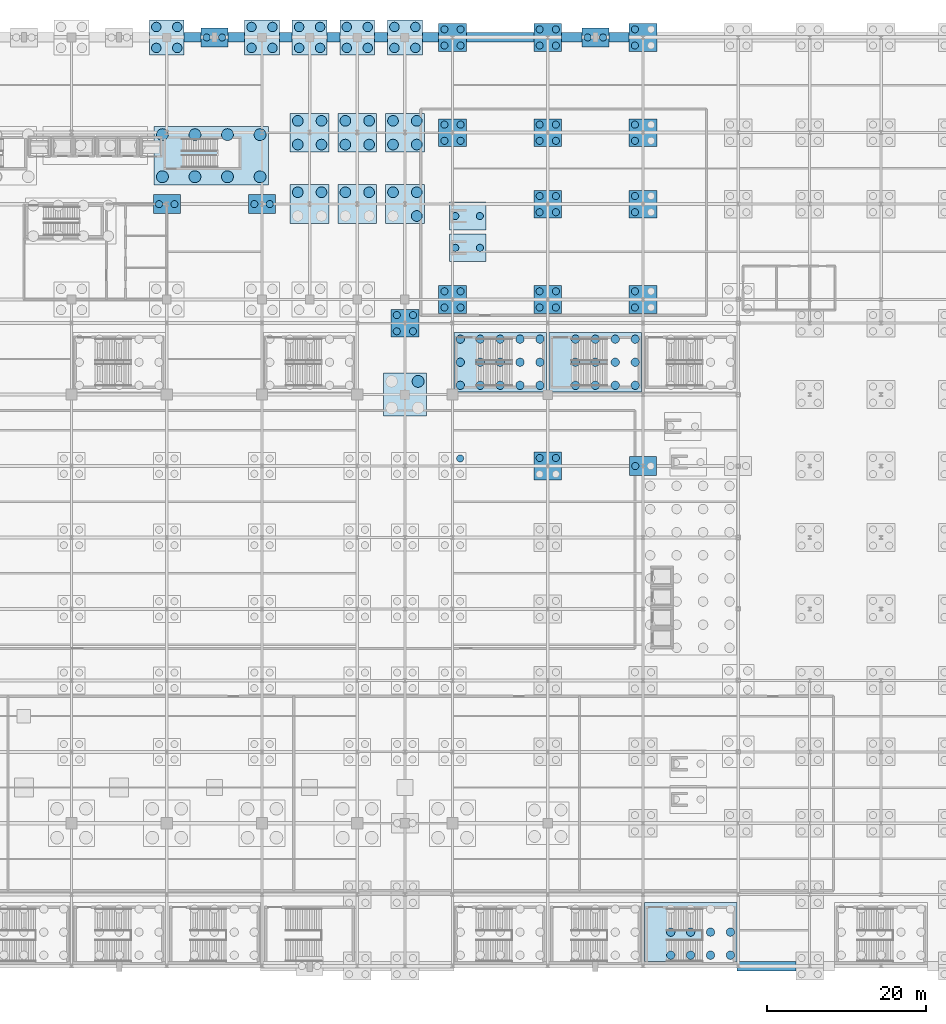
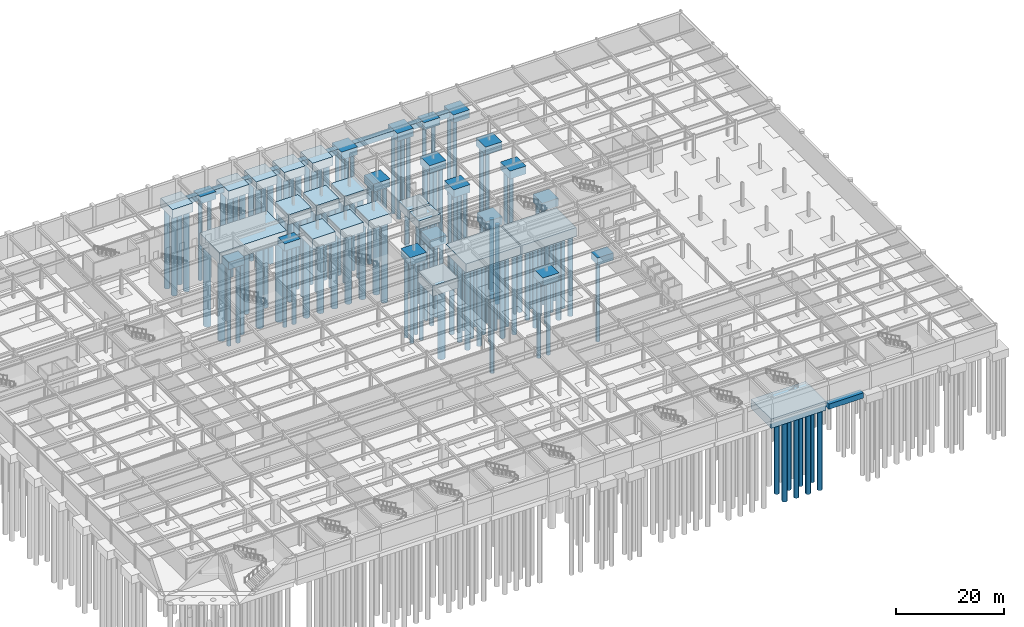
# One storey, part 5 of 47: 139 piles, 46 footings.
"""IFC4 building model written with IfcOpenShell, lengths in metres."""

import ifcopenshell
import ifcopenshell.guid

model = None  # the IFC model being written
_history = None  # IfcOwnerHistory: only IFC2X3 demands one
_inside = {}  # id of a spatial element -> (the spatial element, [elements in it])
_under = {}  # id of a project, library or spatial element -> (it, [spatial elements below it])
_declared = {}  # id of a project -> (the project, [libraries it declares])
_typed = {}  # id of a type object -> (the type object, [elements of that type])
_made_of = {}  # id of a material, layer set ... -> (it, [elements and type objects made of it])


def new_model(schema):
    """Start an empty IFC model of exactly this schema.

    Asked for "IFC4X3", IfcOpenShell would pick the latest addendum, in which some entities
    have other attributes; the version numbers below select the first issue.
    IFC2X3 requires an IfcOwnerHistory on every rooted entity: one is made here for all.
    """
    global model, _history
    if schema == "IFC4X3":
        model = ifcopenshell.file(schema_version=(4, 3, 0, 0))
    else:
        model = ifcopenshell.file(schema=schema)
    _inside.clear()
    _under.clear()
    _declared.clear()
    _typed.clear()
    _made_of.clear()
    _history = None
    if model.schema == "IFC2X3":
        org = make("IfcOrganization", Name="unknown")
        user = make(
            "IfcPersonAndOrganization",
            ThePerson=make("IfcPerson", FamilyName="unknown"),
            TheOrganization=org,
        )
        app = make(
            "IfcApplication",
            ApplicationDeveloper=org,
            Version="unknown",
            ApplicationFullName="unknown",
            ApplicationIdentifier="unknown",
        )
        _history = make(
            "IfcOwnerHistory",
            OwningUser=user,
            OwningApplication=app,
            ChangeAction="ADDED",
            CreationDate=0,
        )
    return model


def make(cls, **values):
    """One entity of the class cls with the attributes given. An attribute that is None is left unset."""
    return model.create_entity(
        cls, **{name: value for name, value in values.items() if value is not None}
    )


def rooted(cls, **values):
    """An entity with a GlobalId (a new one), such as an element, a storey or a relation."""
    return make(cls, GlobalId=ifcopenshell.guid.new(), OwnerHistory=_history, **values)


def si_unit(unit_type, name, prefix=None):
    """IfcSIUnit, for example si_unit("LENGTHUNIT", "METRE", prefix="MILLI")."""
    return make("IfcSIUnit", UnitType=unit_type, Prefix=prefix, Name=name)


def assignment(units):
    """IfcUnitAssignment: the units of a project."""
    return None if units is None else make("IfcUnitAssignment", Units=units)


def point(xyz):
    """IfcCartesianPoint."""
    return None if xyz is None else make("IfcCartesianPoint", Coordinates=xyz)


def direction(xyz):
    """IfcDirection."""
    return None if xyz is None else make("IfcDirection", DirectionRatios=xyz)


def frame(location, z_axis=None, x_axis=None):
    """IfcAxis2Placement3D, a coordinate frame: its origin and axes. An axis left out is left unset."""
    return make(
        "IfcAxis2Placement3D",
        Location=point(location),
        Axis=direction(z_axis),
        RefDirection=direction(x_axis),
    )


def frame_2d(location, x_axis=None):
    """IfcAxis2Placement2D, a coordinate frame in the plane: its origin and x axis."""
    return make(
        "IfcAxis2Placement2D", Location=point(location), RefDirection=direction(x_axis)
    )


def origin():
    """The frame at (0, 0, 0) with its axes left unset."""
    return frame((0.0, 0.0, 0.0))


def origin_2d():
    """The frame at (0, 0) in the plane with its x axis left unset."""
    return frame_2d((0.0, 0.0))


def place(relative_to, where):
    """IfcLocalPlacement: puts the frame where relative to a parent placement (None: the world)."""
    return make(
        "IfcLocalPlacement", PlacementRelTo=relative_to, RelativePlacement=where
    )


def context(
    kind, dimensions, precision=None, world=None, true_north=None, identifier=None
):
    """IfcGeometricRepresentationContext, for example the 3D "Model" context."""
    return make(
        "IfcGeometricRepresentationContext",
        ContextIdentifier=identifier,
        ContextType=kind,
        CoordinateSpaceDimension=dimensions,
        Precision=precision,
        WorldCoordinateSystem=world,
        TrueNorth=true_north,
    )


def subcontext(parent, identifier, kind, view, scale=None):
    """IfcGeometricRepresentationSubContext, for example "Body" below "Model"."""
    return make(
        "IfcGeometricRepresentationSubContext",
        ContextIdentifier=identifier,
        ContextType=kind,
        ParentContext=parent,
        TargetScale=scale,
        TargetView=view,
    )


def project(units=None, contexts=None):
    """IfcProject with its units and contexts."""
    return rooted(
        "IfcProject",
        Name="project",
        RepresentationContexts=contexts,
        UnitsInContext=assignment(units),
    )


def spatial(cls, under=None, at=None, **own):
    """A site, building, storey or space (cls), placed at a placement, below another one or the project."""
    s = rooted(cls, ObjectPlacement=at, **own)
    if under is not None:
        _under.setdefault(under.id(), (under, []))[1].append(s)
    return s


def profile(cls, at=None, kind="AREA", **sizes):
    """A parametric profile (cls). Its sizes go by their IFC names, for example OverallWidth=200.0."""
    return make(cls, ProfileType=kind, Position=at, **sizes)


def rectangle(**sizes):
    """IfcRectangleProfileDef."""
    return profile("IfcRectangleProfileDef", **sizes)


def circle(**sizes):
    """IfcCircleProfileDef."""
    return profile("IfcCircleProfileDef", **sizes)


def extrude(swept, where, along, depth):
    """IfcExtrudedAreaSolid: the profile swept, set in the frame where, extruded along a direction by depth."""
    return make(
        "IfcExtrudedAreaSolid",
        SweptArea=swept,
        Position=where,
        ExtrudedDirection=direction(along),
        Depth=depth,
    )


def shape(context_of_items, identifier, shape_type, items):
    """IfcShapeRepresentation: the items that make up one representation, for example the "Body"."""
    return make(
        "IfcShapeRepresentation",
        ContextOfItems=context_of_items,
        RepresentationIdentifier=identifier,
        RepresentationType=shape_type,
        Items=items,
    )


def material(Name=None, Category=None):
    """IfcMaterial."""
    return make("IfcMaterial", Name=Name, Category=Category)


def material_profile(
    of_material, cross_section, Name=None, Category=None, Priority=None
):
    """IfcMaterialProfile: a cross section and its material."""
    return make(
        "IfcMaterialProfile",
        Name=Name,
        Material=of_material,
        Profile=cross_section,
        Priority=Priority,
        Category=Category,
    )


def profile_set(profiles, Name=None, composite=None):
    """IfcMaterialProfileSet."""
    return make(
        "IfcMaterialProfileSet",
        Name=Name,
        MaterialProfiles=profiles,
        CompositeProfile=composite,
    )


def made_of(thing, what):
    """Note that an element or type object is made of a material, layer set ...; save() writes the relation."""
    if what is not None:
        _made_of.setdefault(what.id(), (what, []))[1].append(thing)
    return thing


def type_object(cls, material=None, **own):
    """A type object (cls), such as IfcWallType, which elements share."""
    return made_of(rooted(cls, **own), material)


def element(
    cls,
    number,
    at=None,
    inside=None,
    cuts=None,
    type_object=None,
    material=None,
    context=None,
    identifier="Body",
    shape_type=None,
    held_by="IfcProductDefinitionShape",
    body=None,
    shapes=None,
    **own,
):
    """One element of the class cls, such as IfcWall. Its Tag is "e" and its number.

    at: its placement. inside: the storey or other place that contains it. cuts: it is an
    opening in that element (IfcRelVoidsElement). A single representation is given by context,
    identifier, shape_type and body (its items); several are given by shapes. held_by: the class
    of the entity that holds the representations. save() writes the other relations.
    """
    e = rooted(cls, Tag="e%d" % number, ObjectPlacement=at, **own)
    if body is not None:
        shapes = [shape(context, identifier, shape_type, body)]
    if shapes is not None:
        e.Representation = make(held_by, Representations=shapes)
    if inside is not None:
        _inside.setdefault(inside.id(), (inside, []))[1].append(e)
    if cuts is not None:
        rooted(
            "IfcRelVoidsElement", RelatingBuildingElement=cuts, RelatedOpeningElement=e
        )
    if type_object is not None:
        _typed.setdefault(type_object.id(), (type_object, []))[1].append(e)
    return made_of(e, material)


def aggregate(whole, parts):
    """IfcRelAggregates: a whole, such as a stair, and the parts it consists of."""
    return rooted("IfcRelAggregates", RelatingObject=whole, RelatedObjects=parts)


def save(model, path):
    """Write the relations noted so far, then the file.

    IfcRelAggregates (storeys below a building ...), IfcRelContainedInSpatialStructure (elements
    in a storey), IfcRelDefinesByType, IfcRelAssociatesMaterial and IfcRelDeclares: one each for
    every whole, place, type object, material and project.
    """
    for whole, parts in _under.values():
        aggregate(whole, parts)
    for where, things in _inside.values():
        rooted(
            "IfcRelContainedInSpatialStructure",
            RelatedElements=things,
            RelatingStructure=where,
        )
    for kind, things in _typed.values():
        rooted("IfcRelDefinesByType", RelatedObjects=things, RelatingType=kind)
    for what, things in _made_of.values():
        rooted("IfcRelAssociatesMaterial", RelatedObjects=things, RelatingMaterial=what)
    for by, libraries in _declared.values():
        rooted("IfcRelDeclares", RelatingContext=by, RelatedDefinitions=libraries)
    model.write(path)


model = new_model("IFC4")

# Units and contexts
model_context = context("Model", 3, precision=1e-05, world=origin(), true_north=direction((0.0, 1.0)))
body_context = subcontext(model_context, "Body", "Model", "MODEL_VIEW")
ifc_project = project(units=[si_unit("LENGTHUNIT", "METRE"), si_unit("AREAUNIT", "SQUARE_METRE"), si_unit("VOLUMEUNIT", "CUBIC_METRE"), si_unit("PLANEANGLEUNIT", "RADIAN"), si_unit("MASSUNIT", "GRAM", prefix="KILO")], contexts=[model_context])

# Site, building, storey
site_placement = place(None, origin())
site = spatial("IfcSite", under=ifc_project, at=site_placement, CompositionType="ELEMENT")
building_placement = place(site_placement, origin())
building = spatial("IfcBuilding", under=site, at=building_placement, Name="Kaldorvane Square Convention Centre", CompositionType="ELEMENT")
storey_placement = place(building_placement, frame((0.0, 0.0, -5.399993896484375)))
storey = spatial("IfcBuildingStorey", under=building, at=storey_placement, Name="B01", CompositionType="ELEMENT", Elevation=-5.399993896484375)

# Footings
ifc_material = material(Name="Concrete f'c = 42 MPa (Normalweight)", Category="concrete")
footing_type_1 = type_object("IfcFootingType", Name="FT-FB-1200X1200", PredefinedType="FOOTING_BEAM", material=ifc_material)
footing_1_placement = place(storey_placement, frame((141.5449981689453, 0.0, -1.20001220703125), z_axis=(0.0, 0.0, 1.0), x_axis=(1.0, 0.0, 0.0)))
element("IfcFooting", 1, at=footing_1_placement, inside=storey, type_object=footing_type_1, Name="Seismic Footing Beam 006", PredefinedType="FOOTING_BEAM", context=body_context, shape_type="SweptSolid", body=[
    extrude(rectangle(XDim=7.410003662109375, YDim=1.1999969482421875, at=origin_2d()), origin(), (0.0, 0.0, 1.0), 1.1999969482421875),
])
for number, where, z_axis, x_axis, name in (
    (2, (69.25, 117.0, -1.20001220703125), (0.0, 0.0, 1.0), (1.0, 0.0, 0.0), "Seismic Footing Beam 020"),
    (3, (74.75, 117.0, -1.20001220703125), (0.0, 0.0, 1.0), (1.0, 0.0, 0.0), "Seismic Footing Beam 021"),
):
    element("IfcFooting", number, at=place(storey_placement, frame(where, z_axis=z_axis, x_axis=x_axis)), inside=storey, type_object=footing_type_1, Name=name, PredefinedType="FOOTING_BEAM", context=body_context, shape_type="SweptSolid", body=[
        extrude(rectangle(XDim=2.100006103515625, YDim=1.1999969482421875, at=origin_2d()), origin(), (0.0, 0.0, 1.0), 1.1999969482421875),
    ])
for number, where, z_axis, x_axis, name in (
    (4, (81.0, 117.0, -1.20001220703125), (0.0, 0.0, 1.0), (1.0, 0.0, 0.0), "Seismic Footing Beam 022"),
    (5, (87.0, 117.0, -1.20001220703125), (0.0, 0.0, 1.0), (1.0, 0.0, 0.0), "Seismic Footing Beam 023"),
    (6, (93.0, 117.0, -1.20001220703125), (0.0, 0.0, 1.0), (1.0, 0.0, 0.0), "Seismic Footing Beam 024"),
):
    element("IfcFooting", number, at=place(storey_placement, frame(where, z_axis=z_axis, x_axis=x_axis)), inside=storey, type_object=footing_type_1, Name=name, PredefinedType="FOOTING_BEAM", context=body_context, shape_type="SweptSolid", body=[
        extrude(rectangle(XDim=1.600006103515625, YDim=1.1999969482421875, at=origin_2d()), origin(), (0.0, 0.0, 1.0), 1.1999969482421875),
    ])
footing_2_placement = place(storey_placement, frame((99.22500610351562, 117.0, -1.20001220703125), z_axis=(0.0, 0.0, 1.0), x_axis=(1.0, 0.0, 0.0)))
element("IfcFooting", 7, at=footing_2_placement, inside=storey, type_object=footing_type_1, Name="Seismic Footing Beam 025", PredefinedType="FOOTING_BEAM", context=body_context, shape_type="SweptSolid", body=[
    extrude(rectangle(XDim=2.0500030517578125, YDim=1.1999969482421875, at=origin_2d()), origin(), (0.0, 0.0, 1.0), 1.1999969482421875),
])
footing_3_placement = place(storey_placement, frame((108.0, 117.0, -1.20001220703125), z_axis=(0.0, 0.0, 1.0), x_axis=(1.0, 0.0, 0.0)))
element("IfcFooting", 8, at=footing_3_placement, inside=storey, type_object=footing_type_1, Name="Seismic Footing Beam 026", PredefinedType="FOOTING_BEAM", context=body_context, shape_type="SweptSolid", body=[
    extrude(rectangle(XDim=8.5, YDim=1.1999969482421875, at=origin_2d()), origin(), (0.0, 0.0, 1.0), 1.1999969482421875),
])
for number, where, z_axis, x_axis, name in (
    (9, (117.02499389648438, 117.0, -1.20001220703125), (0.0, 0.0, 1.0), (1.0, 0.0, 0.0), "Seismic Footing Beam 027"),
    (10, (122.97500610351562, 117.0, -1.20001220703125), (0.0, 0.0, 1.0), (1.0, 0.0, 0.0), "Seismic Footing Beam 028"),
):
    element("IfcFooting", number, at=place(storey_placement, frame(where, z_axis=z_axis, x_axis=x_axis)), inside=storey, type_object=footing_type_1, Name=name, PredefinedType="FOOTING_BEAM", context=body_context, shape_type="SweptSolid", body=[
        extrude(rectangle(XDim=2.5500030517578125, YDim=1.1999969482421875, at=origin_2d()), origin(), (0.0, 0.0, 1.0), 1.1999969482421875),
    ])
footing_type_2 = type_object("IfcFootingType", Name="FT-PC-3400X2400", PredefinedType="PILE_CAP", material=ifc_material)
for number, where, z_axis, x_axis, name in (
    (11, (66.0, 96.0, -1.6500091552734375), (0.0, 0.0, 1.0), (1.0, 0.0, 0.0), "Pile Cap FC-38-099"),
    (12, (78.0, 96.0, -1.6500091552734375), (0.0, 0.0, 1.0), (1.0, 0.0, 0.0), "Pile Cap FC-38-113"),
    (13, (126.0, 63.0, -1.6500091552734375), (0.0, 0.0, 1.0), (1.0, 0.0, 0.0), "Pile Cap FC-38-183"),
    (14, (72.0, 117.0, -1.6500091552734375), (0.0, 0.0, 1.0), (1.0, 0.0, 0.0), "Pile Cap FC-38-266"),
    (15, (120.0, 117.0, -1.6500091552734375), (0.0, 0.0, 1.0), (1.0, 0.0, 0.0), "Pile Cap FC-38-269"),
):
    element("IfcFooting", number, at=place(storey_placement, frame(where, z_axis=z_axis, x_axis=x_axis)), inside=storey, type_object=footing_type_2, Name=name, PredefinedType="PILE_CAP", context=body_context, shape_type="SweptSolid", body=[
        extrude(rectangle(XDim=3.399993896484375, YDim=2.399993896484375, at=origin_2d()), origin(), (0.0, 0.0, 1.0), 1.649993896484375),
    ])
footing_type_3 = type_object("IfcFootingType", Name="FT-PC-3500X3500", PredefinedType="PILE_CAP", material=ifc_material)
for number, where, z_axis, x_axis, name in (
    (16, (96.0, 81.0, -1.800018310546875), (0.0, 0.0, 1.0), (1.0, 0.0, 0.0), "Pile Cap FC-36-143"),
    (17, (102.0, 84.0, -1.800018310546875), (0.0, 0.0, 1.0), (1.0, 0.0, 0.0), "Pile Cap FC-36-158"),
    (18, (102.0, 105.0, -1.800018310546875), (0.0, 0.0, 1.0), (1.0, 0.0, 0.0), "Pile Cap FC-36-160"),
    (19, (102.0, 117.0, -1.800018310546875), (0.0, 0.0, 1.0), (1.0, 0.0, 0.0), "Pile Cap FC-36-161"),
    (20, (114.0, 63.0, -1.800018310546875), (0.0, 0.0, 1.0), (1.0, 0.0, 0.0), "Pile Cap FC-36-169"),
    (21, (114.0, 84.0, -1.800018310546875), (0.0, 0.0, 1.0), (1.0, 0.0, 0.0), "Pile Cap FC-36-172"),
    (22, (114.0, 96.0, -1.800018310546875), (0.0, 0.0, 1.0), (1.0, 0.0, 0.0), "Pile Cap FC-36-173"),
    (23, (114.0, 105.0, -1.800018310546875), (0.0, 0.0, 1.0), (1.0, 0.0, 0.0), "Pile Cap FC-36-174"),
    (24, (114.0, 117.0, -1.800018310546875), (0.0, 0.0, 1.0), (1.0, 0.0, 0.0), "Pile Cap FC-36-175"),
    (25, (126.0, 84.0, -1.800018310546875), (0.0, 0.0, 1.0), (1.0, 0.0, 0.0), "Pile Cap FC-36-186"),
    (26, (126.0, 96.0, -1.800018310546875), (0.0, 0.0, 1.0), (1.0, 0.0, 0.0), "Pile Cap FC-36-187"),
    (27, (126.0, 105.0, -1.800018310546875), (0.0, 0.0, 1.0), (1.0, 0.0, 0.0), "Pile Cap FC-36-188"),
    (28, (126.0, 117.0, -1.800018310546875), (0.0, 0.0, 1.0), (1.0, 0.0, 0.0), "Pile Cap FC-36-189"),
):
    element("IfcFooting", number, at=place(storey_placement, frame(where, z_axis=z_axis, x_axis=x_axis)), inside=storey, type_object=footing_type_3, Name=name, PredefinedType="PILE_CAP", context=body_context, shape_type="SweptSolid", body=[
        extrude(rectangle(XDim=3.5, YDim=3.5, at=origin_2d()), origin(), (0.0, 0.0, 1.0), 1.8000030517578125),
    ])
footing_type_4 = type_object("IfcFootingType", Name="FT-PC-4400X4400", PredefinedType="PILE_CAP", material=ifc_material)
for number, where, z_axis, x_axis, name in (
    (29, (66.0, 117.0, -2.0), (0.0, 0.0, 1.0), (1.0, 0.0, 0.0), "Pile Cap FC-34-101"),
    (30, (78.0, 117.0, -2.0), (0.0, 0.0, 1.0), (1.0, 0.0, 0.0), "Pile Cap FC-34-115"),
    (31, (84.0, 117.0, -2.0), (0.0, 0.0, 1.0), (1.0, 0.0, 0.0), "Pile Cap FC-34-119"),
    (32, (90.0, 117.0, -2.0), (0.0, 0.0, 1.0), (1.0, 0.0, 0.0), "Pile Cap FC-34-133"),
    (33, (96.0, 117.0, -2.0), (0.0, 0.0, 1.0), (1.0, 0.0, 0.0), "Pile Cap FC-34-147"),
):
    element("IfcFooting", number, at=place(storey_placement, frame(where, z_axis=z_axis, x_axis=x_axis)), inside=storey, type_object=footing_type_4, Name=name, PredefinedType="PILE_CAP", context=body_context, shape_type="SweptSolid", body=[
        extrude(rectangle(XDim=4.399993896484375, YDim=4.399993896484375, at=origin_2d()), origin(), (0.0, 0.0, 1.0), 2.0),
    ])
footing_type_5 = type_object("IfcFootingType", Name="FT-PC-4900X4900", PredefinedType="PILE_CAP", material=ifc_material)
for number, where, z_axis, x_axis, name in (
    (34, (84.0, 96.0, -2.20001220703125), (0.0, 0.0, 1.0), (1.0, 0.0, 0.0), "Pile Cap FC-33-117"),
    (35, (84.0, 105.0, -2.20001220703125), (0.0, 0.0, 1.0), (1.0, 0.0, 0.0), "Pile Cap FC-33-118"),
    (36, (90.0, 96.0, -2.20001220703125), (0.0, 0.0, 1.0), (1.0, 0.0, 0.0), "Pile Cap FC-33-131"),
    (37, (90.0, 105.0, -2.20001220703125), (0.0, 0.0, 1.0), (1.0, 0.0, 0.0), "Pile Cap FC-33-132"),
    (38, (96.0, 96.0, -2.20001220703125), (0.0, 0.0, 1.0), (1.0, 0.0, 0.0), "Pile Cap FC-33-145"),
    (39, (96.0, 105.0, -2.20001220703125), (0.0, 0.0, 1.0), (1.0, 0.0, 0.0), "Pile Cap FC-33-146"),
):
    element("IfcFooting", number, at=place(storey_placement, frame(where, z_axis=z_axis, x_axis=x_axis)), inside=storey, type_object=footing_type_5, Name=name, PredefinedType="PILE_CAP", context=body_context, shape_type="SweptSolid", body=[
        extrude(rectangle(XDim=4.899993896484375, YDim=4.899993896484375, at=origin_2d()), origin(), (0.0, 0.0, 1.0), 2.1999969482421875),
    ])
footing_type_6 = type_object("IfcFootingType", Name="FT-PC-5400X5400", PredefinedType="PILE_CAP", material=ifc_material)
footing_4_placement = place(storey_placement, frame((96.0, 72.0, -2.4000091552734375), z_axis=(0.0, 0.0, 1.0), x_axis=(1.0, 0.0, 0.0)))
element("IfcFooting", 40, at=footing_4_placement, inside=storey, type_object=footing_type_6, Name="Pile Cap FC-32-142", PredefinedType="PILE_CAP", context=body_context, shape_type="SweptSolid", body=[
    extrude(rectangle(XDim=5.399993896484375, YDim=5.399993896484375, at=origin_2d()), origin(), (0.0, 0.0, 1.0), 2.399993896484375),
])
footing_type_7 = type_object("IfcFootingType", Name="FT-PC-CORE-TE", PredefinedType="PILE_CAP", material=ifc_material)
footing_5_placement = place(storey_placement, frame((71.60000610351562, 102.10000610351562, -2.600006103515625), z_axis=(0.0, 0.0, 1.0), x_axis=(1.0, 0.0, 0.0)))
element("IfcFooting", 41, at=footing_5_placement, inside=storey, type_object=footing_type_7, Name="Core Pile Cap FC-03", PredefinedType="PILE_CAP", context=body_context, shape_type="SweptSolid", body=[
    extrude(rectangle(XDim=14.399993896484375, YDim=7.399993896484375, at=origin_2d()), origin(), (0.0, 0.0, 1.0), 2.600006103515625),
])
footing_type_8 = type_object("IfcFootingType", Name="FT-PC-FSTR-ST-F5", PredefinedType="PILE_CAP", material=ifc_material)
footing_6_placement = place(storey_placement, frame((103.89999389648438, 90.5, -1.800018310546875), z_axis=(0.0, 0.0, 1.0), x_axis=(1.0, 0.0, 0.0)))
element("IfcFooting", 42, at=footing_6_placement, inside=storey, type_object=footing_type_8, Name="Core Pile Cap FC-28", PredefinedType="PILE_CAP", context=body_context, shape_type="SweptSolid", body=[
    extrude(rectangle(XDim=4.600006103515625, YDim=3.5, at=origin_2d()), origin(), (0.0, 0.0, 1.0), 1.8000030517578125),
])
footing_type_9 = type_object("IfcFootingType", Name="FT-PC-FSTR-ST-F6", PredefinedType="PILE_CAP", material=ifc_material)
footing_7_placement = place(storey_placement, frame((103.89999389648438, 94.5, -1.800018310546875), z_axis=(0.0, 0.0, 1.0), x_axis=(1.0, 0.0, 0.0)))
element("IfcFooting", 43, at=footing_7_placement, inside=storey, type_object=footing_type_9, Name="Core Pile Cap FC-29", PredefinedType="PILE_CAP", context=body_context, shape_type="SweptSolid", body=[
    extrude(rectangle(XDim=4.600006103515625, YDim=3.5, at=origin_2d()), origin(), (0.0, 0.0, 1.0), 1.8000030517578125),
])
footing_type_10 = type_object("IfcFootingType", Name="FT-PC-STAIR-ST-C10", PredefinedType="PILE_CAP", material=ifc_material)
footing_8_placement = place(storey_placement, frame((132.0, 4.279998779296875, -2.100006103515625), z_axis=(0.0, 0.0, 1.0), x_axis=(1.0, 0.0, 0.0)))
element("IfcFooting", 44, at=footing_8_placement, inside=storey, type_object=footing_type_10, Name="Core Pile Cap FC-15", PredefinedType="PILE_CAP", context=body_context, shape_type="SweptSolid", body=[
    extrude(rectangle(XDim=11.67999267578125, YDim=7.4600067138671875, at=origin_2d()), origin(), (0.0, 0.0, 1.0), 2.100006103515625),
])
footing_type_11 = type_object("IfcFootingType", Name="FT-PC-STAIR-ST-C16", PredefinedType="PILE_CAP", material=ifc_material)
footing_9_placement = place(storey_placement, frame((108.0, 76.08000183105469, -2.0), z_axis=(0.0, 0.0, 1.0), x_axis=(1.0, 0.0, 0.0)))
element("IfcFooting", 45, at=footing_9_placement, inside=storey, type_object=footing_type_11, Name="Core Pile Cap FC-21", PredefinedType="PILE_CAP", context=body_context, shape_type="SweptSolid", body=[
    extrude(rectangle(XDim=11.67999267578125, YDim=7.4600067138671875, at=origin_2d()), origin(), (0.0, 0.0, 1.0), 2.0),
])
footing_type_12 = type_object("IfcFootingType", Name="FT-PC-STAIR-ST-C17", PredefinedType="PILE_CAP", material=ifc_material)
footing_10_placement = place(storey_placement, frame((120.0, 76.08000183105469, -2.050018310546875), z_axis=(0.0, 0.0, 1.0), x_axis=(1.0, 0.0, 0.0)))
element("IfcFooting", 46, at=footing_10_placement, inside=storey, type_object=footing_type_12, Name="Core Pile Cap FC-22", PredefinedType="PILE_CAP", context=body_context, shape_type="SweptSolid", body=[
    extrude(rectangle(XDim=11.67999267578125, YDim=7.4600067138671875, at=origin_2d()), origin(), (0.0, 0.0, 1.0), 2.0500030517578125),
])

# Piles
ifc_material_profile_1 = material_profile(ifc_material, circle(Radius=0.524993896484375, at=origin_2d()), Name="PILE-D1050")
ifc_profile_set_1 = profile_set([ifc_material_profile_1], Name="Concrete f'c = 42 MPa (Normalweight)")
pile_type_1 = type_object("IfcPileType", Name="PL-CIDH-1050", PredefinedType="BORED", material=ifc_profile_set_1)
for number, where, z_axis, x_axis, name in (
    (47, (129.49249267578125, 1.375, -2.100006103515625), (0.0, 0.0, -1.0), (1.0, 0.0, 0.0), "Bored Pile 0172"),
    (48, (129.49249267578125, 4.279998779296875, -2.100006103515625), (0.0, 0.0, -1.0), (1.0, 0.0, 0.0), "Bored Pile 0173"),
    (49, (132.0, 1.375, -2.100006103515625), (0.0, 0.0, -1.0), (1.0, 0.0, 0.0), "Bored Pile 0175"),
    (50, (132.0, 4.279998779296875, -2.100006103515625), (0.0, 0.0, -1.0), (1.0, 0.0, 0.0), "Bored Pile 0176"),
    (51, (134.50750732421875, 1.375, -2.100006103515625), (0.0, 0.0, -1.0), (1.0, 0.0, 0.0), "Bored Pile 0178"),
    (52, (134.50750732421875, 4.279998779296875, -2.100006103515625), (0.0, 0.0, -1.0), (1.0, 0.0, 0.0), "Bored Pile 0179"),
    (53, (137.01499938964844, 1.375, -2.100006103515625), (0.0, 0.0, -1.0), (1.0, 0.0, 0.0), "Bored Pile 0181"),
    (54, (137.01499938964844, 4.279998779296875, -2.100006103515625), (0.0, 0.0, -1.0), (1.0, 0.0, 0.0), "Bored Pile 0182"),
    (55, (102.98500061035156, 73.17500305175781, -2.0), (0.0, 0.0, -1.0), (1.0, 0.0, 0.0), "Bored Pile 0257"),
    (56, (102.98500061035156, 76.08000183105469, -2.0), (0.0, 0.0, -1.0), (1.0, 0.0, 0.0), "Bored Pile 0258"),
    (57, (102.98500061035156, 78.98500061035156, -2.0), (0.0, 0.0, -1.0), (1.0, 0.0, 0.0), "Bored Pile 0259"),
    (58, (105.49249267578125, 73.17500305175781, -2.0), (0.0, 0.0, -1.0), (1.0, 0.0, 0.0), "Bored Pile 0260"),
    (59, (105.49249267578125, 76.08000183105469, -2.0), (0.0, 0.0, -1.0), (1.0, 0.0, 0.0), "Bored Pile 0261"),
    (60, (105.49249267578125, 78.98500061035156, -2.0), (0.0, 0.0, -1.0), (1.0, 0.0, 0.0), "Bored Pile 0262"),
    (61, (108.0, 73.17500305175781, -2.0), (0.0, 0.0, -1.0), (1.0, 0.0, 0.0), "Bored Pile 0263"),
    (62, (108.0, 76.08000183105469, -2.0), (0.0, 0.0, -1.0), (1.0, 0.0, 0.0), "Bored Pile 0264"),
    (63, (108.0, 78.98500061035156, -2.0), (0.0, 0.0, -1.0), (1.0, 0.0, 0.0), "Bored Pile 0265"),
    (64, (110.50750732421875, 73.17500305175781, -2.0), (0.0, 0.0, -1.0), (1.0, 0.0, 0.0), "Bored Pile 0266"),
    (65, (110.50750732421875, 76.08000183105469, -2.0), (0.0, 0.0, -1.0), (1.0, 0.0, 0.0), "Bored Pile 0267"),
    (66, (110.50750732421875, 78.98500061035156, -2.0), (0.0, 0.0, -1.0), (1.0, 0.0, 0.0), "Bored Pile 0268"),
    (67, (113.01499938964844, 73.17500305175781, -2.0), (0.0, 0.0, -1.0), (1.0, 0.0, 0.0), "Bored Pile 0269"),
    (68, (113.01499938964844, 76.08000183105469, -2.0), (0.0, 0.0, -1.0), (1.0, 0.0, 0.0), "Bored Pile 0270"),
    (69, (113.01499938964844, 78.98500061035156, -2.0), (0.0, 0.0, -1.0), (1.0, 0.0, 0.0), "Bored Pile 0271"),
    (70, (117.49249267578125, 73.17500305175781, -2.0500030517578125), (0.0, 0.0, -1.0), (1.0, 0.0, 0.0), "Bored Pile 0272"),
    (71, (117.49249267578125, 76.08000183105469, -2.0500030517578125), (0.0, 0.0, -1.0), (1.0, 0.0, 0.0), "Bored Pile 0273"),
    (72, (117.49249267578125, 78.98500061035156, -2.0500030517578125), (0.0, 0.0, -1.0), (1.0, 0.0, 0.0), "Bored Pile 0274"),
    (73, (120.0, 73.17500305175781, -2.0500030517578125), (0.0, 0.0, -1.0), (1.0, 0.0, 0.0), "Bored Pile 0275"),
    (74, (120.0, 76.08000183105469, -2.0500030517578125), (0.0, 0.0, -1.0), (1.0, 0.0, 0.0), "Bored Pile 0276"),
    (75, (120.0, 78.98500061035156, -2.0500030517578125), (0.0, 0.0, -1.0), (1.0, 0.0, 0.0), "Bored Pile 0277"),
    (76, (122.50750732421875, 73.17500305175781, -2.0500030517578125), (0.0, 0.0, -1.0), (1.0, 0.0, 0.0), "Bored Pile 0278"),
    (77, (122.50750732421875, 76.08000183105469, -2.0500030517578125), (0.0, 0.0, -1.0), (1.0, 0.0, 0.0), "Bored Pile 0279"),
    (78, (122.50750732421875, 78.98500061035156, -2.0500030517578125), (0.0, 0.0, -1.0), (1.0, 0.0, 0.0), "Bored Pile 0280"),
    (79, (125.01499938964844, 73.17500305175781, -2.0500030517578125), (0.0, 0.0, -1.0), (1.0, 0.0, 0.0), "Bored Pile 0281"),
    (80, (125.01499938964844, 76.08000183105469, -2.0500030517578125), (0.0, 0.0, -1.0), (1.0, 0.0, 0.0), "Bored Pile 0282"),
    (81, (125.01499938964844, 78.98500061035156, -2.0500030517578125), (0.0, 0.0, -1.0), (1.0, 0.0, 0.0), "Bored Pile 0283"),
):
    element("IfcPile", number, at=place(storey_placement, frame(where, z_axis=z_axis, x_axis=x_axis)), inside=storey, type_object=pile_type_1, Name=name, PredefinedType="BORED", context=body_context, shape_type="SweptSolid", body=[
        extrude(circle(Radius=0.524993896484375, at=origin_2d()), origin(), (0.0, 0.0, 1.0), 18.0),
    ])
ifc_material_profile_2 = material_profile(ifc_material, circle(Radius=0.600006103515625, at=origin_2d()), Name="PILE-D1200")
ifc_profile_set_2 = profile_set([ifc_material_profile_2], Name="Concrete f'c = 42 MPa (Normalweight)")
pile_type_2 = type_object("IfcPileType", Name="PL-CIDH-1200", PredefinedType="BORED", material=ifc_profile_set_2)
for number, where, z_axis, x_axis, name in (
    (82, (64.67999267578125, 115.67999267578125, -2.0), (0.0, 0.0, -1.0), (1.0, 0.0, 0.0), "Bored Pile 0576"),
    (83, (64.67999267578125, 118.32000732421875, -2.0), (0.0, 0.0, -1.0), (1.0, 0.0, 0.0), "Bored Pile 0577"),
    (84, (67.32000732421875, 115.67999267578125, -2.0), (0.0, 0.0, -1.0), (1.0, 0.0, 0.0), "Bored Pile 0578"),
    (85, (67.32000732421875, 118.32000732421875, -2.0), (0.0, 0.0, -1.0), (1.0, 0.0, 0.0), "Bored Pile 0579"),
    (86, (76.67999267578125, 115.67999267578125, -2.0), (0.0, 0.0, -1.0), (1.0, 0.0, 0.0), "Bored Pile 0610"),
    (87, (76.67999267578125, 118.32000732421875, -2.0), (0.0, 0.0, -1.0), (1.0, 0.0, 0.0), "Bored Pile 0611"),
    (88, (79.32000732421875, 115.67999267578125, -2.0), (0.0, 0.0, -1.0), (1.0, 0.0, 0.0), "Bored Pile 0612"),
    (89, (79.32000732421875, 118.32000732421875, -2.0), (0.0, 0.0, -1.0), (1.0, 0.0, 0.0), "Bored Pile 0613"),
    (90, (82.67999267578125, 115.67999267578125, -2.0), (0.0, 0.0, -1.0), (1.0, 0.0, 0.0), "Bored Pile 0626"),
    (91, (82.67999267578125, 118.32000732421875, -2.0), (0.0, 0.0, -1.0), (1.0, 0.0, 0.0), "Bored Pile 0627"),
    (92, (85.32000732421875, 115.67999267578125, -2.0), (0.0, 0.0, -1.0), (1.0, 0.0, 0.0), "Bored Pile 0628"),
    (93, (85.32000732421875, 118.32000732421875, -2.0), (0.0, 0.0, -1.0), (1.0, 0.0, 0.0), "Bored Pile 0629"),
    (94, (88.67999267578125, 115.67999267578125, -2.0), (0.0, 0.0, -1.0), (1.0, 0.0, 0.0), "Bored Pile 0674"),
    (95, (88.67999267578125, 118.32000732421875, -2.0), (0.0, 0.0, -1.0), (1.0, 0.0, 0.0), "Bored Pile 0675"),
    (96, (91.32000732421875, 115.67999267578125, -2.0), (0.0, 0.0, -1.0), (1.0, 0.0, 0.0), "Bored Pile 0676"),
    (97, (91.32000732421875, 118.32000732421875, -2.0), (0.0, 0.0, -1.0), (1.0, 0.0, 0.0), "Bored Pile 0677"),
    (98, (94.67999267578125, 115.67999267578125, -2.0), (0.0, 0.0, -1.0), (1.0, 0.0, 0.0), "Bored Pile 0724"),
    (99, (94.67999267578125, 118.32000732421875, -2.0), (0.0, 0.0, -1.0), (1.0, 0.0, 0.0), "Bored Pile 0725"),
    (100, (97.32000732421875, 115.67999267578125, -2.0), (0.0, 0.0, -1.0), (1.0, 0.0, 0.0), "Bored Pile 0726"),
    (101, (97.32000732421875, 118.32000732421875, -2.0), (0.0, 0.0, -1.0), (1.0, 0.0, 0.0), "Bored Pile 0727"),
):
    element("IfcPile", number, at=place(storey_placement, frame(where, z_axis=z_axis, x_axis=x_axis)), inside=storey, type_object=pile_type_2, Name=name, PredefinedType="BORED", context=body_context, shape_type="SweptSolid", body=[
        extrude(circle(Radius=0.600006103515625, at=origin_2d()), origin(), (0.0, 0.0, 1.0), 18.0),
    ])
ifc_material_profile_3 = material_profile(ifc_material, circle(Radius=0.6750030517578125, at=origin_2d()), Name="PILE-D1350")
ifc_profile_set_3 = profile_set([ifc_material_profile_3], Name="Concrete f'c = 42 MPa (Normalweight)")
pile_type_3 = type_object("IfcPileType", Name="PL-CIDH-1350", PredefinedType="BORED", material=ifc_profile_set_3)
for number, where, z_axis, x_axis, name in (
    (102, (82.5050048828125, 97.4949951171875, -2.20001220703125), (0.0, 0.0, -1.0), (1.0, 0.0, 0.0), "Bored Pile 0619"),
    (103, (85.4949951171875, 97.4949951171875, -2.20001220703125), (0.0, 0.0, -1.0), (1.0, 0.0, 0.0), "Bored Pile 0621"),
    (104, (82.5050048828125, 103.5050048828125, -2.20001220703125), (0.0, 0.0, -1.0), (1.0, 0.0, 0.0), "Bored Pile 0622"),
    (105, (82.5050048828125, 106.4949951171875, -2.20001220703125), (0.0, 0.0, -1.0), (1.0, 0.0, 0.0), "Bored Pile 0623"),
    (106, (85.4949951171875, 103.5050048828125, -2.20001220703125), (0.0, 0.0, -1.0), (1.0, 0.0, 0.0), "Bored Pile 0624"),
    (107, (85.4949951171875, 106.4949951171875, -2.20001220703125), (0.0, 0.0, -1.0), (1.0, 0.0, 0.0), "Bored Pile 0625"),
    (108, (88.5050048828125, 97.4949951171875, -2.20001220703125), (0.0, 0.0, -1.0), (1.0, 0.0, 0.0), "Bored Pile 0667"),
    (109, (91.4949951171875, 97.4949951171875, -2.20001220703125), (0.0, 0.0, -1.0), (1.0, 0.0, 0.0), "Bored Pile 0669"),
    (110, (88.5050048828125, 103.5050048828125, -2.20001220703125), (0.0, 0.0, -1.0), (1.0, 0.0, 0.0), "Bored Pile 0670"),
    (111, (88.5050048828125, 106.4949951171875, -2.20001220703125), (0.0, 0.0, -1.0), (1.0, 0.0, 0.0), "Bored Pile 0671"),
    (112, (91.4949951171875, 103.5050048828125, -2.20001220703125), (0.0, 0.0, -1.0), (1.0, 0.0, 0.0), "Bored Pile 0672"),
    (113, (91.4949951171875, 106.4949951171875, -2.20001220703125), (0.0, 0.0, -1.0), (1.0, 0.0, 0.0), "Bored Pile 0673"),
    (114, (94.5050048828125, 97.4949951171875, -2.20001220703125), (0.0, 0.0, -1.0), (1.0, 0.0, 0.0), "Bored Pile 0717"),
    (115, (97.4949951171875, 94.5050048828125, -2.20001220703125), (0.0, 0.0, -1.0), (1.0, 0.0, 0.0), "Bored Pile 0718"),
    (116, (97.4949951171875, 97.4949951171875, -2.20001220703125), (0.0, 0.0, -1.0), (1.0, 0.0, 0.0), "Bored Pile 0719"),
    (117, (94.5050048828125, 103.5050048828125, -2.20001220703125), (0.0, 0.0, -1.0), (1.0, 0.0, 0.0), "Bored Pile 0720"),
    (118, (94.5050048828125, 106.4949951171875, -2.20001220703125), (0.0, 0.0, -1.0), (1.0, 0.0, 0.0), "Bored Pile 0721"),
    (119, (97.4949951171875, 103.5050048828125, -2.20001220703125), (0.0, 0.0, -1.0), (1.0, 0.0, 0.0), "Bored Pile 0722"),
    (120, (97.4949951171875, 106.4949951171875, -2.20001220703125), (0.0, 0.0, -1.0), (1.0, 0.0, 0.0), "Bored Pile 0723"),
):
    element("IfcPile", number, at=place(storey_placement, frame(where, z_axis=z_axis, x_axis=x_axis)), inside=storey, type_object=pile_type_3, Name=name, PredefinedType="BORED", context=body_context, shape_type="SweptSolid", body=[
        extrude(circle(Radius=0.6750030517578125, at=origin_2d()), origin(), (0.0, 0.0, 1.0), 18.0),
    ])
ifc_material_profile_4 = material_profile(ifc_material, circle(Radius=0.75, at=origin_2d()), Name="PILE-D1500")
ifc_profile_set_4 = profile_set([ifc_material_profile_4], Name="Concrete f'c = 42 MPa (Normalweight)")
pile_type_4 = type_object("IfcPileType", Name="PL-CIDH-1500", PredefinedType="BORED", material=ifc_profile_set_4)
for number, where, z_axis, x_axis, name in (
    (121, (65.44999694824219, 99.44999694824219, -2.600006103515625), (0.0, 0.0, -1.0), (1.0, 0.0, 0.0), "Bored Pile 0013"),
    (122, (65.44999694824219, 104.75, -2.600006103515625), (0.0, 0.0, -1.0), (1.0, 0.0, 0.0), "Bored Pile 0014"),
    (123, (69.55000305175781, 99.44999694824219, -2.600006103515625), (0.0, 0.0, -1.0), (1.0, 0.0, 0.0), "Bored Pile 0015"),
    (124, (69.55000305175781, 104.75, -2.600006103515625), (0.0, 0.0, -1.0), (1.0, 0.0, 0.0), "Bored Pile 0016"),
    (125, (73.64999389648438, 99.44999694824219, -2.600006103515625), (0.0, 0.0, -1.0), (1.0, 0.0, 0.0), "Bored Pile 0017"),
    (126, (73.64999389648438, 104.75, -2.600006103515625), (0.0, 0.0, -1.0), (1.0, 0.0, 0.0), "Bored Pile 0018"),
    (127, (77.75, 99.44999694824219, -2.600006103515625), (0.0, 0.0, -1.0), (1.0, 0.0, 0.0), "Bored Pile 0019"),
    (128, (77.75, 104.75, -2.600006103515625), (0.0, 0.0, -1.0), (1.0, 0.0, 0.0), "Bored Pile 0020"),
    (129, (97.66999816894531, 73.66999816894531, -2.4000091552734375), (0.0, 0.0, -1.0), (1.0, 0.0, 0.0), "Bored Pile 0711"),
):
    element("IfcPile", number, at=place(storey_placement, frame(where, z_axis=z_axis, x_axis=x_axis)), inside=storey, type_object=pile_type_4, Name=name, PredefinedType="BORED", context=body_context, shape_type="SweptSolid", body=[
        extrude(circle(Radius=0.75, at=origin_2d()), origin(), (0.0, 0.0, 1.0), 18.0),
    ])
ifc_material_profile_5 = material_profile(ifc_material, circle(Radius=0.4499969482421875, at=origin_2d()), Name="PILE-D900")
ifc_profile_set_5 = profile_set([ifc_material_profile_5], Name="Concrete f'c = 42 MPa (Normalweight)")
pile_type_5 = type_object("IfcPileType", Name="PL-CIDH-900", PredefinedType="BORED", material=ifc_profile_set_5)
for number, where, z_axis, x_axis, name in (
    (130, (102.35000610351562, 90.5, -1.8000030517578125), (0.0, 0.0, -1.0), (1.0, 0.0, 0.0), "Bored Pile 0304"),
    (131, (105.44999694824219, 90.5, -1.8000030517578125), (0.0, 0.0, -1.0), (1.0, 0.0, 0.0), "Bored Pile 0305"),
    (132, (102.35000610351562, 94.5, -1.8000030517578125), (0.0, 0.0, -1.0), (1.0, 0.0, 0.0), "Bored Pile 0306"),
    (133, (105.44999694824219, 94.5, -1.8000030517578125), (0.0, 0.0, -1.0), (1.0, 0.0, 0.0), "Bored Pile 0307"),
    (134, (65.02999877929688, 96.0, -1.6500091552734375), (0.0, 0.0, -1.0), (1.0, 0.0, 0.0), "Bored Pile 0574"),
    (135, (66.97000122070312, 96.0, -1.6500091552734375), (0.0, 0.0, -1.0), (1.0, 0.0, 0.0), "Bored Pile 0575"),
    (136, (77.02999877929688, 96.0, -1.6500091552734375), (0.0, 0.0, -1.0), (1.0, 0.0, 0.0), "Bored Pile 0608"),
    (137, (78.97000122070312, 96.0, -1.6500091552734375), (0.0, 0.0, -1.0), (1.0, 0.0, 0.0), "Bored Pile 0609"),
    (138, (94.97999572753906, 79.97999572753906, -1.8000030517578125), (0.0, 0.0, -1.0), (1.0, 0.0, 0.0), "Bored Pile 0712"),
    (139, (94.97999572753906, 82.02000427246094, -1.8000030517578125), (0.0, 0.0, -1.0), (1.0, 0.0, 0.0), "Bored Pile 0713"),
    (140, (97.02000427246094, 79.97999572753906, -1.8000030517578125), (0.0, 0.0, -1.0), (1.0, 0.0, 0.0), "Bored Pile 0714"),
    (141, (97.02000427246094, 82.02000427246094, -1.8000030517578125), (0.0, 0.0, -1.0), (1.0, 0.0, 0.0), "Bored Pile 0715"),
    (142, (102.97000122070312, 63.970001220703125, -1.70001220703125), (0.0, 0.0, -1.0), (1.0, 0.0, 0.0), "Bored Pile 0751"),
    (143, (100.97999572753906, 82.97999572753906, -1.8000030517578125), (0.0, 0.0, -1.0), (1.0, 0.0, 0.0), "Bored Pile 0752"),
    (144, (100.97999572753906, 85.02000427246094, -1.8000030517578125), (0.0, 0.0, -1.0), (1.0, 0.0, 0.0), "Bored Pile 0753"),
    (145, (103.02000427246094, 82.97999572753906, -1.8000030517578125), (0.0, 0.0, -1.0), (1.0, 0.0, 0.0), "Bored Pile 0754"),
    (146, (103.02000427246094, 85.02000427246094, -1.8000030517578125), (0.0, 0.0, -1.0), (1.0, 0.0, 0.0), "Bored Pile 0755"),
    (147, (100.97999572753906, 103.97999572753906, -1.8000030517578125), (0.0, 0.0, -1.0), (1.0, 0.0, 0.0), "Bored Pile 0756"),
    (148, (100.97999572753906, 106.02000427246094, -1.8000030517578125), (0.0, 0.0, -1.0), (1.0, 0.0, 0.0), "Bored Pile 0757"),
    (149, (103.02000427246094, 103.97999572753906, -1.8000030517578125), (0.0, 0.0, -1.0), (1.0, 0.0, 0.0), "Bored Pile 0758"),
    (150, (103.02000427246094, 106.02000427246094, -1.8000030517578125), (0.0, 0.0, -1.0), (1.0, 0.0, 0.0), "Bored Pile 0759"),
    (151, (100.97999572753906, 115.97999572753906, -1.8000030517578125), (0.0, 0.0, -1.0), (1.0, 0.0, 0.0), "Bored Pile 0760"),
    (152, (100.97999572753906, 118.02000427246094, -1.8000030517578125), (0.0, 0.0, -1.0), (1.0, 0.0, 0.0), "Bored Pile 0761"),
    (153, (103.02000427246094, 115.97999572753906, -1.8000030517578125), (0.0, 0.0, -1.0), (1.0, 0.0, 0.0), "Bored Pile 0762"),
    (154, (103.02000427246094, 118.02000427246094, -1.8000030517578125), (0.0, 0.0, -1.0), (1.0, 0.0, 0.0), "Bored Pile 0763"),
    (155, (112.97999572753906, 64.02000427246094, -1.8000030517578125), (0.0, 0.0, -1.0), (1.0, 0.0, 0.0), "Bored Pile 0785"),
    (156, (115.02000427246094, 64.02000427246094, -1.8000030517578125), (0.0, 0.0, -1.0), (1.0, 0.0, 0.0), "Bored Pile 0787"),
    (157, (112.97999572753906, 82.97999572753906, -1.8000030517578125), (0.0, 0.0, -1.0), (1.0, 0.0, 0.0), "Bored Pile 0788"),
    (158, (112.97999572753906, 85.02000427246094, -1.8000030517578125), (0.0, 0.0, -1.0), (1.0, 0.0, 0.0), "Bored Pile 0789"),
    (159, (115.02000427246094, 82.97999572753906, -1.8000030517578125), (0.0, 0.0, -1.0), (1.0, 0.0, 0.0), "Bored Pile 0790"),
    (160, (115.02000427246094, 85.02000427246094, -1.8000030517578125), (0.0, 0.0, -1.0), (1.0, 0.0, 0.0), "Bored Pile 0791"),
    (161, (112.97999572753906, 94.97999572753906, -1.8000030517578125), (0.0, 0.0, -1.0), (1.0, 0.0, 0.0), "Bored Pile 0792"),
    (162, (112.97999572753906, 97.02000427246094, -1.8000030517578125), (0.0, 0.0, -1.0), (1.0, 0.0, 0.0), "Bored Pile 0793"),
    (163, (115.02000427246094, 94.97999572753906, -1.8000030517578125), (0.0, 0.0, -1.0), (1.0, 0.0, 0.0), "Bored Pile 0794"),
    (164, (115.02000427246094, 97.02000427246094, -1.8000030517578125), (0.0, 0.0, -1.0), (1.0, 0.0, 0.0), "Bored Pile 0795"),
    (165, (112.97999572753906, 103.97999572753906, -1.8000030517578125), (0.0, 0.0, -1.0), (1.0, 0.0, 0.0), "Bored Pile 0796"),
    (166, (112.97999572753906, 106.02000427246094, -1.8000030517578125), (0.0, 0.0, -1.0), (1.0, 0.0, 0.0), "Bored Pile 0797"),
    (167, (115.02000427246094, 103.97999572753906, -1.8000030517578125), (0.0, 0.0, -1.0), (1.0, 0.0, 0.0), "Bored Pile 0798"),
    (168, (115.02000427246094, 106.02000427246094, -1.8000030517578125), (0.0, 0.0, -1.0), (1.0, 0.0, 0.0), "Bored Pile 0799"),
    (169, (112.97999572753906, 115.97999572753906, -1.8000030517578125), (0.0, 0.0, -1.0), (1.0, 0.0, 0.0), "Bored Pile 0800"),
    (170, (112.97999572753906, 118.02000427246094, -1.8000030517578125), (0.0, 0.0, -1.0), (1.0, 0.0, 0.0), "Bored Pile 0801"),
    (171, (115.02000427246094, 115.97999572753906, -1.8000030517578125), (0.0, 0.0, -1.0), (1.0, 0.0, 0.0), "Bored Pile 0802"),
    (172, (115.02000427246094, 118.02000427246094, -1.8000030517578125), (0.0, 0.0, -1.0), (1.0, 0.0, 0.0), "Bored Pile 0803"),
    (173, (125.02999877929688, 63.0, -1.6500091552734375), (0.0, 0.0, -1.0), (1.0, 0.0, 0.0), "Bored Pile 0816"),
    (174, (124.97999572753906, 82.97999572753906, -1.8000030517578125), (0.0, 0.0, -1.0), (1.0, 0.0, 0.0), "Bored Pile 0818"),
    (175, (124.97999572753906, 85.02000427246094, -1.8000030517578125), (0.0, 0.0, -1.0), (1.0, 0.0, 0.0), "Bored Pile 0819"),
    (176, (124.97999572753906, 94.97999572753906, -1.8000030517578125), (0.0, 0.0, -1.0), (1.0, 0.0, 0.0), "Bored Pile 0822"),
    (177, (124.97999572753906, 97.02000427246094, -1.8000030517578125), (0.0, 0.0, -1.0), (1.0, 0.0, 0.0), "Bored Pile 0823"),
    (178, (124.97999572753906, 103.97999572753906, -1.8000030517578125), (0.0, 0.0, -1.0), (1.0, 0.0, 0.0), "Bored Pile 0826"),
    (179, (124.97999572753906, 106.02000427246094, -1.8000030517578125), (0.0, 0.0, -1.0), (1.0, 0.0, 0.0), "Bored Pile 0827"),
    (180, (124.97999572753906, 115.97999572753906, -1.8000030517578125), (0.0, 0.0, -1.0), (1.0, 0.0, 0.0), "Bored Pile 0830"),
    (181, (124.97999572753906, 118.02000427246094, -1.8000030517578125), (0.0, 0.0, -1.0), (1.0, 0.0, 0.0), "Bored Pile 0831"),
    (182, (71.02999877929688, 117.0, -1.6500091552734375), (0.0, 0.0, -1.0), (1.0, 0.0, 0.0), "Bored Pile 1070"),
    (183, (72.97000122070312, 117.0, -1.6500091552734375), (0.0, 0.0, -1.0), (1.0, 0.0, 0.0), "Bored Pile 1071"),
    (184, (119.02999877929688, 117.0, -1.6500091552734375), (0.0, 0.0, -1.0), (1.0, 0.0, 0.0), "Bored Pile 1074"),
    (185, (120.97000122070312, 117.0, -1.6500091552734375), (0.0, 0.0, -1.0), (1.0, 0.0, 0.0), "Bored Pile 1075"),
):
    element("IfcPile", number, at=place(storey_placement, frame(where, z_axis=z_axis, x_axis=x_axis)), inside=storey, type_object=pile_type_5, Name=name, PredefinedType="BORED", context=body_context, shape_type="SweptSolid", body=[
        extrude(circle(Radius=0.4499969482421875, at=origin_2d()), origin(), (0.0, 0.0, 1.0), 18.0),
    ])

save(model, "model.ifc")
